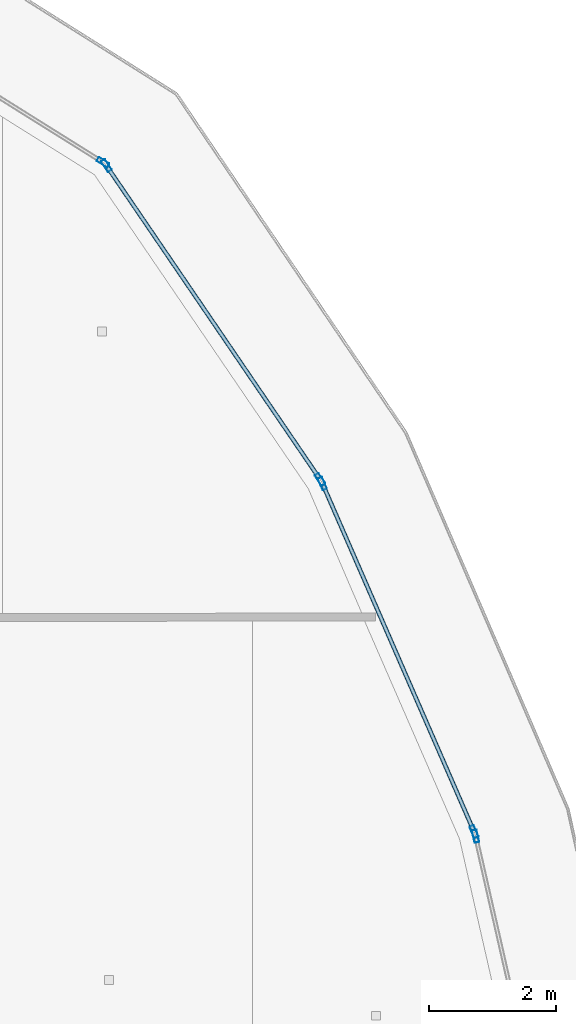
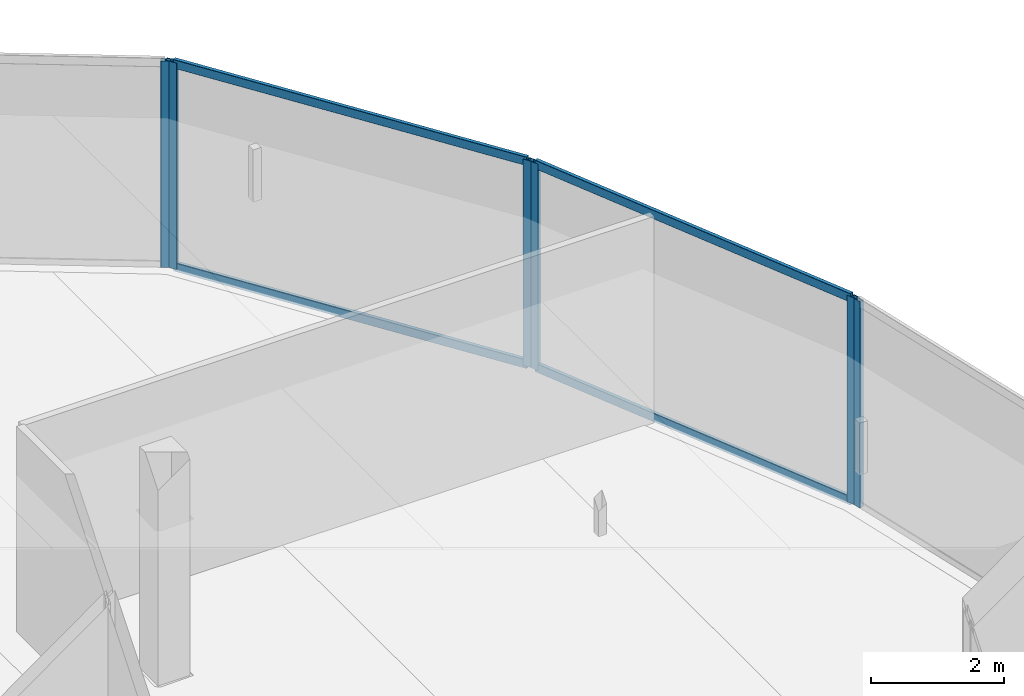
# One storey, part 24 of 40: 10 members, 4 elements without a shape of their own.
"""IFC4 building model written with IfcOpenShell, lengths in metres."""

from ifc_helpers import new_model, si_unit, direction, frame, origin, origin_2d, place, context, subcontext, project, spatial, hollow_rectangle, extrude, material, layer, layer_set, material_profile, profile_set, type_object, element, aggregate, save


model = new_model("IFC4")

# Units and contexts
model_context = context("Model", 3, precision=1e-05, world=origin(), true_north=direction((0.0, 1.0)))
body_context = subcontext(model_context, "Body", "Model", "MODEL_VIEW")
ifc_project = project(units=[si_unit("LENGTHUNIT", "METRE"), si_unit("AREAUNIT", "SQUARE_METRE"), si_unit("VOLUMEUNIT", "CUBIC_METRE"), si_unit("PLANEANGLEUNIT", "RADIAN"), si_unit("MASSUNIT", "GRAM", prefix="KILO")], contexts=[model_context])

# Site, building, storey
site_placement = place(None, origin())
site = spatial("IfcSite", under=ifc_project, at=site_placement, CompositionType="ELEMENT")
building_placement = place(site_placement, origin())
building = spatial("IfcBuilding", under=site, at=building_placement, Name="Qorvath Tower", CompositionType="ELEMENT")
storey_placement = place(building_placement, frame((0.0, 0.0, 225.300048828125)))
storey = spatial("IfcBuildingStorey", under=building, at=storey_placement, Name="L52", CompositionType="ELEMENT", Elevation=225.300048828125)

# Curtain wall, member
ifc_material_1 = material(Name="Anodised aluminium and triple low-E glass", Category="aluminium")
ifc_layer = layer(ifc_material_1, 0.179931640625)
ifc_layer_set = layer_set([ifc_layer], Name="CW-SYS-5")
curtain_wall_type = type_object("IfcCurtainWallType", Name="CW-SYS-5", PredefinedType="NOTDEFINED", material=ifc_layer_set)
curtain_wall_1_placement = place(storey_placement, origin())
curtain_wall_1 = element("IfcCurtainWall", 1, at=curtain_wall_1_placement, inside=storey, type_object=curtain_wall_type, Name="Curtain Wall CW-5 CW-T-L52-13.1", PredefinedType="NOTDEFINED")
ifc_material_2 = material(Name="Anodised aluminium 6063-T6", Category="aluminium")
ifc_material_profile_1 = material_profile(ifc_material_2, hollow_rectangle(XDim=0.074951171875, YDim=0.199951171875, WallThickness=0.00390625, InnerFilletRadius=0.00390625, OuterFilletRadius=0.008056640625, at=origin_2d()), Name="CWM 200x75")
ifc_profile_set_1 = profile_set([ifc_material_profile_1], Name="Anodised aluminium 6063-T6")
member_type_1 = type_object("IfcMemberType", Name="CWM-200", PredefinedType="MULLION", material=ifc_profile_set_1)
member_1_placement = place(storey_placement, frame((-0.6181640625, 10.04150390625, 0.0), z_axis=(0.0, 0.0, 1.0), x_axis=(-0.97505349533, -0.221970000777, 0.0)))
member_1 = element("IfcMember", 2, at=member_1_placement, type_object=member_type_1, Name="CW-5 mullion 2", PredefinedType="MULLION", context=body_context, shape_type="SweptSolid", body=[
    extrude(hollow_rectangle(XDim=0.074951171875, YDim=0.199951171875, WallThickness=0.00390625, InnerFilletRadius=0.00390625, OuterFilletRadius=0.008056640625, at=origin_2d()), origin(), (0.0, 0.0, 1.0), 3.780029296875),
])
aggregate(curtain_wall_1, [member_1])

# Curtain wall, members
curtain_wall_2_placement = place(storey_placement, origin())
curtain_wall_2 = element("IfcCurtainWall", 3, at=curtain_wall_2_placement, inside=storey, type_object=curtain_wall_type, Name="Curtain Wall CW-5 CW-T-L52-14.1", PredefinedType="NOTDEFINED")
member_2_placement = place(storey_placement, frame((-0.641357421875, 10.112548828125, 0.0), z_axis=(0.0, 0.0, 1.0), x_axis=(-0.916784683156, -0.399381828243, 0.0)))
member_2 = element("IfcMember", 4, at=member_2_placement, type_object=member_type_1, Name="CW-5 mullion 1", PredefinedType="MULLION", context=body_context, shape_type="SweptSolid", body=[
    extrude(hollow_rectangle(XDim=0.074951171875, YDim=0.199951171875, WallThickness=0.00390625, InnerFilletRadius=0.00390625, OuterFilletRadius=0.008056640625, at=origin_2d()), origin(), (0.0, 0.0, 1.0), 3.780029296875),
])
member_3_placement = place(storey_placement, frame((-3.02099609375, 15.574462890625, 0.0), z_axis=(0.0, 0.0, 1.0), x_axis=(-0.916784683156, -0.399381828243, 0.0)))
member_3 = element("IfcMember", 5, at=member_3_placement, type_object=member_type_1, Name="CW-5 mullion 2", PredefinedType="MULLION", context=body_context, shape_type="SweptSolid", body=[
    extrude(hollow_rectangle(XDim=0.074951171875, YDim=0.199951171875, WallThickness=0.00390625, InnerFilletRadius=0.00390625, OuterFilletRadius=0.008056640625, at=origin_2d()), origin(), (0.0, 0.0, 1.0), 3.780029296875),
])

curtain_wall_3_placement = place(storey_placement, origin())
curtain_wall_3 = element("IfcCurtainWall", 6, at=curtain_wall_3_placement, inside=storey, type_object=curtain_wall_type, Name="Curtain Wall CW-5 CW-T-L52-15.1", PredefinedType="NOTDEFINED")
member_4_placement = place(storey_placement, frame((-3.05712890625, 15.639892578125, 0.0), z_axis=(0.0, 0.0, 1.0), x_axis=(-0.826490619847, -0.56295049099, 0.0)))
member_4 = element("IfcMember", 7, at=member_4_placement, type_object=member_type_1, Name="CW-5 mullion 1", PredefinedType="MULLION", context=body_context, shape_type="SweptSolid", body=[
    extrude(hollow_rectangle(XDim=0.074951171875, YDim=0.199951171875, WallThickness=0.00390625, InnerFilletRadius=0.00390625, OuterFilletRadius=0.008056640625, at=origin_2d()), origin(), (0.0, 0.0, 1.0), 3.780029296875),
])
member_5_placement = place(storey_placement, frame((-6.410888671875, 20.56396484375, 0.0), z_axis=(0.0, 0.0, 1.0), x_axis=(-0.826490619847, -0.56295049099, 0.0)))
member_5 = element("IfcMember", 8, at=member_5_placement, type_object=member_type_1, Name="CW-5 mullion 2", PredefinedType="MULLION", context=body_context, shape_type="SweptSolid", body=[
    extrude(hollow_rectangle(XDim=0.074951171875, YDim=0.199951171875, WallThickness=0.00390625, InnerFilletRadius=0.00390625, OuterFilletRadius=0.008056640625, at=origin_2d()), origin(), (0.0, 0.0, 1.0), 3.780029296875),
])

# Curtain wall, member
curtain_wall_4_placement = place(storey_placement, origin())
curtain_wall_4 = element("IfcCurtainWall", 9, at=curtain_wall_4_placement, inside=storey, type_object=curtain_wall_type, Name="Curtain Wall CW-5 CW-T-L52-16.1", PredefinedType="NOTDEFINED")
member_6_placement = place(storey_placement, frame((-6.4638671875, 20.614990234375, 0.0), z_axis=(0.0, 0.0, 1.0), x_axis=(-0.530545314822, -0.84765657487, 0.0)))
member_6 = element("IfcMember", 10, at=member_6_placement, type_object=member_type_1, Name="CW-5 mullion 1", PredefinedType="MULLION", context=body_context, shape_type="SweptSolid", body=[
    extrude(hollow_rectangle(XDim=0.074951171875, YDim=0.199951171875, WallThickness=0.00390625, InnerFilletRadius=0.00390625, OuterFilletRadius=0.008056640625, at=origin_2d()), origin(), (0.0, 0.0, 1.0), 3.780029296875),
])
aggregate(curtain_wall_4, [member_6])

# Member
ifc_material_3 = material(Name="Anodised aluminium 6063-T6", Category="aluminium")
ifc_material_profile_2 = material_profile(ifc_material_3, hollow_rectangle(XDim=0.06494140625, YDim=0.159912109375, WallThickness=0.00341796875, InnerFilletRadius=0.00341796875, OuterFilletRadius=0.007080078125, at=origin_2d()), Name="CWT 160x65")
ifc_profile_set_2 = profile_set([ifc_material_profile_2], Name="Anodised aluminium 6063-T6")
member_type_2 = type_object("IfcMemberType", Name="CWT-160", PredefinedType="USERDEFINED", material=ifc_profile_set_2)
member_7_placement = place(storey_placement, frame((-0.656494140625, 10.14697265625, 0.032470703125), z_axis=(-0.399377050085, 0.916786764665, 0.0), x_axis=(-0.916786764665, -0.399377050085, 0.0)))
member_7 = element("IfcMember", 11, at=member_7_placement, type_object=member_type_2, Name="CW-5 transom 1.1", ObjectType="TRANSOM", PredefinedType="USERDEFINED", context=body_context, shape_type="SweptSolid", body=[
    extrude(hollow_rectangle(XDim=0.06494140625, YDim=0.159912109375, WallThickness=0.00341796875, InnerFilletRadius=0.00341796875, OuterFilletRadius=0.007080078125, at=origin_2d()), origin(), (0.0, 0.0, 1.0), 5.882568359375),
])

member_8_placement = place(storey_placement, frame((-0.656494140625, 10.14697265625, 3.74755859375), z_axis=(-0.399377050085, 0.916786764665, 0.0), x_axis=(-0.916786764665, -0.399377050085, 0.0)))
member_8 = element("IfcMember", 12, at=member_8_placement, type_object=member_type_2, Name="CW-5 transom 1.2", ObjectType="TRANSOM", PredefinedType="USERDEFINED", context=body_context, shape_type="SweptSolid", body=[
    extrude(hollow_rectangle(XDim=0.06494140625, YDim=0.159912109375, WallThickness=0.00341796875, InnerFilletRadius=0.00341796875, OuterFilletRadius=0.007080078125, at=origin_2d()), origin(), (0.0, 0.0, 1.0), 5.882568359375),
])

aggregate(curtain_wall_2, [member_2, member_3, member_7, member_8])

member_9_placement = place(storey_placement, frame((-3.078125, 15.6708984375, 0.032470703125), z_axis=(-0.562956878655, 0.826486268958, 0.0), x_axis=(-0.826486268958, -0.562956878655, 0.0)))
member_9 = element("IfcMember", 13, at=member_9_placement, type_object=member_type_2, Name="CW-5 transom 1.1", ObjectType="TRANSOM", PredefinedType="USERDEFINED", context=body_context, shape_type="SweptSolid", body=[
    extrude(hollow_rectangle(XDim=0.06494140625, YDim=0.159912109375, WallThickness=0.00341796875, InnerFilletRadius=0.00341796875, OuterFilletRadius=0.007080078125, at=origin_2d()), origin(), (0.0, 0.0, 1.0), 5.8828125),
])

member_10_placement = place(storey_placement, frame((-3.078125, 15.6708984375, 3.74755859375), z_axis=(-0.562956878655, 0.826486268958, 0.0), x_axis=(-0.826486268958, -0.562956878655, 0.0)))
member_10 = element("IfcMember", 14, at=member_10_placement, type_object=member_type_2, Name="CW-5 transom 1.2", ObjectType="TRANSOM", PredefinedType="USERDEFINED", context=body_context, shape_type="SweptSolid", body=[
    extrude(hollow_rectangle(XDim=0.06494140625, YDim=0.159912109375, WallThickness=0.00341796875, InnerFilletRadius=0.00341796875, OuterFilletRadius=0.007080078125, at=origin_2d()), origin(), (0.0, 0.0, 1.0), 5.8828125),
])

aggregate(curtain_wall_3, [member_4, member_5, member_9, member_10])

save(model, "model.ifc")
